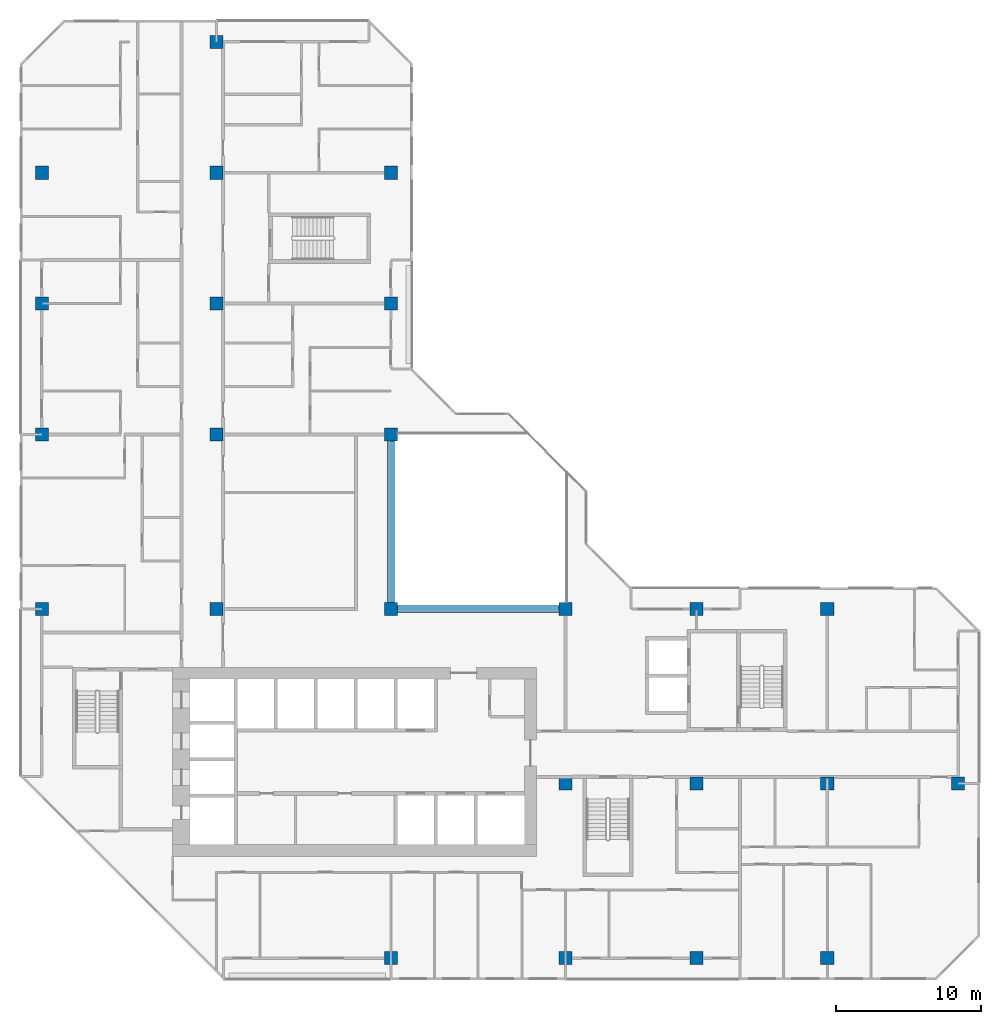
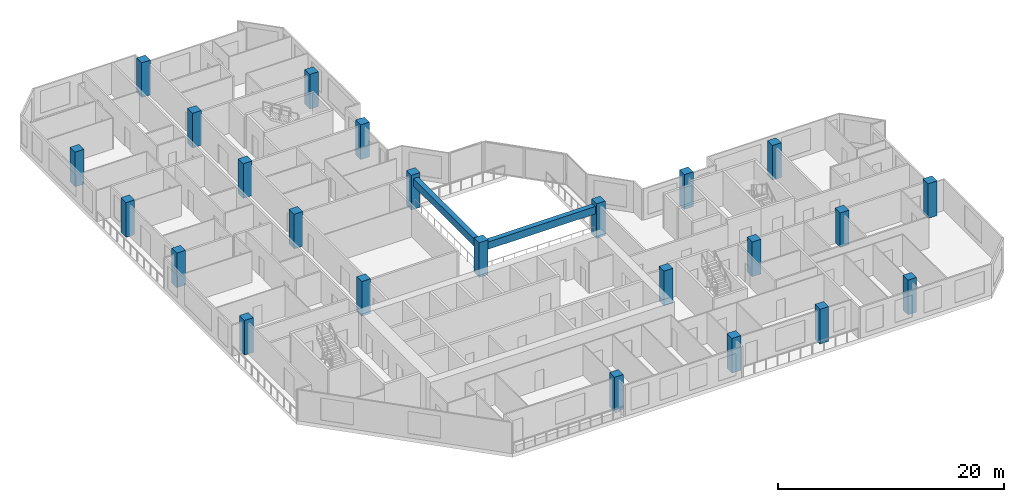
# One storey, part 1 of 15: 24 columns, 2 beams.
"""IFC4 building model written with IfcOpenShell, lengths in metres."""

from ifc_helpers import new_model, si_unit, direction, frame, origin, origin_2d, place, context, subcontext, project, spatial, rectangle, extrude, material, material_profile, profile_set, type_object, element, save


model = new_model("IFC4")

# Units and contexts
model_context = context("Model", 3, precision=1e-05, world=origin(), true_north=direction((0.0, 1.0)))
body_context = subcontext(model_context, "Body", "Model", "MODEL_VIEW")
ifc_project = project(units=[si_unit("LENGTHUNIT", "METRE"), si_unit("AREAUNIT", "SQUARE_METRE"), si_unit("VOLUMEUNIT", "CUBIC_METRE"), si_unit("PLANEANGLEUNIT", "RADIAN"), si_unit("MASSUNIT", "GRAM", prefix="KILO")], contexts=[model_context])

# Site, building, storey
site_placement = place(None, origin())
site = spatial("IfcSite", under=ifc_project, at=site_placement, CompositionType="ELEMENT")
building_placement = place(site_placement, origin())
building = spatial("IfcBuilding", under=site, at=building_placement, Name="Chenar Terraces", CompositionType="ELEMENT")
storey_placement = place(building_placement, frame((0.0, 0.0, 198.64990234375)))
storey = spatial("IfcBuildingStorey", under=building, at=storey_placement, Name="L46", CompositionType="ELEMENT", Elevation=198.64990234375)

# Columns
ifc_material_1 = material(Name="Concrete C60/75", Category="concrete")
ifc_material_profile_1 = material_profile(ifc_material_1, rectangle(XDim=0.89990234375, YDim=0.89990234375, at=origin_2d()), Name="C 900 x 900")
ifc_profile_set_1 = profile_set([ifc_material_profile_1], Name="Concrete C60/75")
column_type = type_object("IfcColumnType", Name="Column C 900 x 900 Concrete C60/75", PredefinedType="COLUMN", material=ifc_profile_set_1)
column_1_placement = place(storey_placement, frame((0.0, 24.0, 0.0), z_axis=(0.0, 0.0, 1.0), x_axis=(1.0, 0.0, 0.0)))
element("IfcColumn", 1, at=column_1_placement, inside=storey, type_object=column_type, Name="Column 5/G L46", PredefinedType="COLUMN", context=body_context, shape_type="SweptSolid", body=[
    extrude(rectangle(XDim=0.89990234375, YDim=0.89990234375, at=origin_2d()), origin(), (0.0, 0.0, 1.0), 3.75),
])
column_2_placement = place(storey_placement, frame((0.0, 36.0, 0.0), z_axis=(0.0, 0.0, 1.0), x_axis=(1.0, 0.0, 0.0)))
element("IfcColumn", 2, at=column_2_placement, inside=storey, type_object=column_type, Name="Column 5/H L46", PredefinedType="COLUMN", context=body_context, shape_type="SweptSolid", body=[
    extrude(rectangle(XDim=0.89990234375, YDim=0.89990234375, at=origin_2d()), origin(), (0.0, 0.0, 1.0), 3.75),
])
for number, where, z_axis, x_axis, name in (
    (3, (0.0, 45.0, 0.0), (0.0, 0.0, 1.0), (1.0, 0.0, 0.0), "Column 5/J L46"),
    (4, (0.0, 54.0, 0.0), (0.0, 0.0, 1.0), (1.0, 0.0, 0.0), "Column 5/K L46"),
    (5, (12.0, 24.0, 0.0), (0.0, 0.0, 1.0), (1.0, 0.0, 0.0), "Column 6/G L46"),
    (6, (12.0, 36.0, 0.0), (0.0, 0.0, 1.0), (1.0, 0.0, 0.0), "Column 6/H L46"),
    (7, (12.0, 45.0, 0.0), (0.0, 0.0, 1.0), (1.0, 0.0, 0.0), "Column 6/J L46"),
    (8, (12.0, 54.0, 0.0), (0.0, 0.0, 1.0), (1.0, 0.0, 0.0), "Column 6/K L46"),
    (9, (12.0, 63.0, 0.0), (0.0, 0.0, 1.0), (1.0, 0.0, 0.0), "Column 6/L L46"),
    (10, (24.0, 0.0, 0.0), (0.0, 0.0, 1.0), (1.0, 0.0, 0.0), "Column 7/E L46"),
    (11, (24.0, 24.0, 0.0), (0.0, 0.0, 1.0), (1.0, 0.0, 0.0), "Column 7/G L46"),
    (12, (24.0, 36.0, 0.0), (0.0, 0.0, 1.0), (1.0, 0.0, 0.0), "Column 7/H L46"),
    (13, (24.0, 45.0, 0.0), (0.0, 0.0, 1.0), (1.0, 0.0, 0.0), "Column 7/J L46"),
    (14, (24.0, 54.0, 0.0), (0.0, 0.0, 1.0), (1.0, 0.0, 0.0), "Column 7/K L46"),
    (15, (36.0, 0.0, 0.0), (0.0, 0.0, 1.0), (1.0, 0.0, 0.0), "Column 8/E L46"),
    (16, (36.0, 12.0, 0.0), (0.0, 0.0, 1.0), (1.0, 0.0, 0.0), "Column 8/F L46"),
    (17, (36.0, 24.0, 0.0), (0.0, 0.0, 1.0), (1.0, 0.0, 0.0), "Column 8/G L46"),
    (18, (45.0, 0.0, 0.0), (0.0, 0.0, 1.0), (1.0, 0.0, 0.0), "Column 9/E L46"),
    (19, (45.0, 12.0, 0.0), (0.0, 0.0, 1.0), (1.0, 0.0, 0.0), "Column 9/F L46"),
    (20, (45.0, 24.0, 0.0), (0.0, 0.0, 1.0), (1.0, 0.0, 0.0), "Column 9/G L46"),
    (21, (54.0, 0.0, 0.0), (0.0, 0.0, 1.0), (1.0, 0.0, 0.0), "Column 10/E L46"),
    (22, (54.0, 12.0, 0.0), (0.0, 0.0, 1.0), (1.0, 0.0, 0.0), "Column 10/F L46"),
    (23, (54.0, 24.0, 0.0), (0.0, 0.0, 1.0), (1.0, 0.0, 0.0), "Column 10/G L46"),
    (24, (63.0, 12.0, 0.0), (0.0, 0.0, 1.0), (1.0, 0.0, 0.0), "Column 11/F L46"),
):
    element("IfcColumn", number, at=place(storey_placement, frame(where, z_axis=z_axis, x_axis=x_axis)), inside=storey, type_object=column_type, Name=name, PredefinedType="COLUMN", context=body_context, shape_type="SweptSolid", body=[
        extrude(rectangle(XDim=0.89990234375, YDim=0.89990234375, at=origin_2d()), origin(), (0.0, 0.0, 1.0), 3.75),
    ])

# Beams
ifc_material_2 = material(Name="Concrete C40/50", Category="concrete")
ifc_material_profile_2 = material_profile(ifc_material_2, rectangle(XDim=0.5, YDim=0.800048828125, at=origin_2d()), Name="RC 500 x 800")
ifc_profile_set_2 = profile_set([ifc_material_profile_2], Name="Concrete C40/50")
beam_type = type_object("IfcBeamType", Name="Atrium edge beam 500 x 800 Concrete C40/50", PredefinedType="BEAM", material=ifc_profile_set_2)
for number, where, z_axis, x_axis, name in (
    (25, (24.449951171875, 24.0, 2.9501953125), (1.0, 0.0, 0.0), (0.0, 1.0, 0.0), "Atrium edge beam L47 1"),
    (26, (24.0, 35.550048828125, 2.9501953125), (0.0, -1.0, 0.0), (1.0, 0.0, 0.0), "Atrium edge beam L47 4"),
):
    element("IfcBeam", number, at=place(storey_placement, frame(where, z_axis=z_axis, x_axis=x_axis)), inside=storey, type_object=beam_type, Name=name, PredefinedType="BEAM", context=body_context, shape_type="SweptSolid", body=[
        extrude(rectangle(XDim=0.5, YDim=0.800048828125, at=origin_2d()), origin(), (0.0, 0.0, 1.0), 11.10009765625),
    ])

save(model, "model.ifc")
